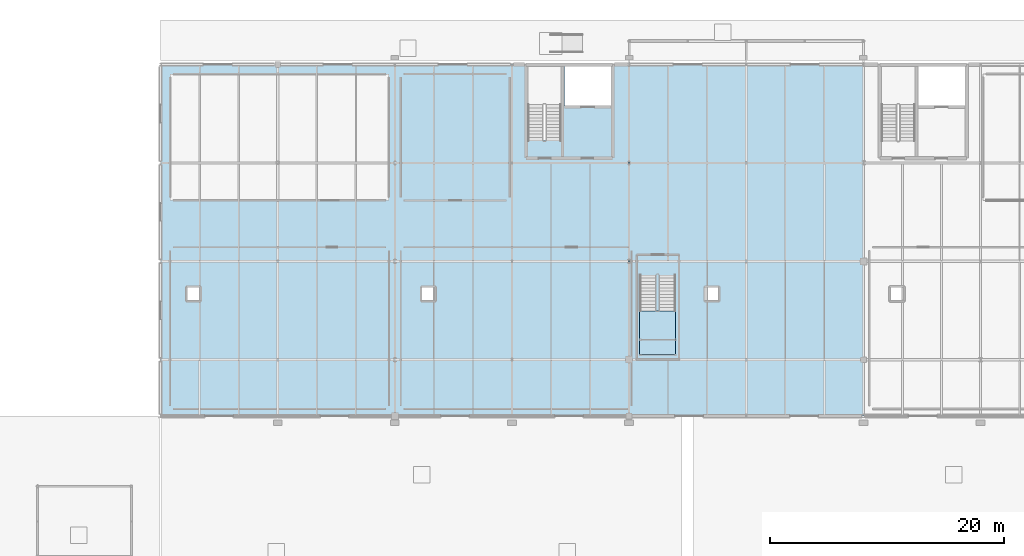
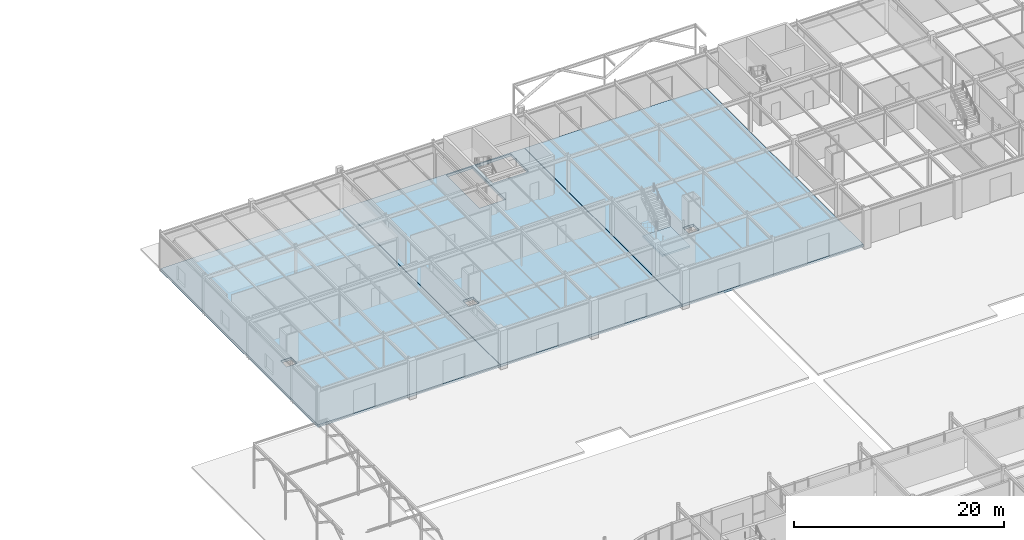
# One storey, part 78 of 119: 4 slabs, 1 element without a shape of its own.
"""IFC4 building model written with IfcOpenShell, lengths in metres."""

from ifc_helpers import new_model, si_unit, derived_unit, direction, frame, origin, place, context, subcontext, project, spatial, polyline, outline, extrude, material, layer, layer_set, type_object, element, aggregate, save


model = new_model("IFC4")

# Units and contexts
model_context = context("Model", 3, precision=1e-05, world=origin(), true_north=direction((0.0, 1.0)))
body_context = subcontext(model_context, "Body", "Model", "MODEL_VIEW")
ifc_project = project(units=[si_unit("LENGTHUNIT", "METRE"), si_unit("AREAUNIT", "SQUARE_METRE"), si_unit("VOLUMEUNIT", "CUBIC_METRE"), si_unit("PLANEANGLEUNIT", "RADIAN"), si_unit("MASSUNIT", "GRAM", prefix="KILO"), derived_unit("THERMALTRANSMITTANCEUNIT", [(si_unit("POWERUNIT", "WATT"), 1), (si_unit("LENGTHUNIT", "METRE"), -2), (si_unit("THERMODYNAMICTEMPERATUREUNIT", "KELVIN"), -1)])], contexts=[model_context])

# Site, building, storey
site_placement = place(None, origin())
site = spatial("IfcSite", under=ifc_project, at=site_placement, CompositionType="ELEMENT")
building_placement = place(site_placement, origin())
building = spatial("IfcBuilding", under=site, at=building_placement, Name="Cinnabar Yard Market Hall", CompositionType="ELEMENT")
storey_placement = place(building_placement, origin())
storey = spatial("IfcBuildingStorey", under=building, at=storey_placement, Name="L00", CompositionType="ELEMENT", Elevation=0.0)

# Slabs
ifc_material_1 = material(Name="Concrete 40 MPa", Category="concrete")
ifc_layer_1 = layer(ifc_material_1, 0.300048828125)
ifc_layer_set_1 = layer_set([ifc_layer_1], Name="Concrete 40 MPa")
slab_type_1 = type_object("IfcSlabType", Name="SL-L00", PredefinedType="FLOOR", material=ifc_layer_set_1)
slab_1_placement = place(storey_placement, frame((0.0, 0.0, -0.300048828125)))
element("IfcSlab", 1, at=slab_1_placement, inside=storey, type_object=slab_type_1, Name="L00 Wing Floor Slab Bay 1", PredefinedType="FLOOR", context=body_context, shape_type="SweptSolid", body=[
    extrude(outline(polyline([(66.0, 108.0), (86.0, 108.0), (86.0, 138.0), (66.0, 138.0), (66.0, 108.0)]), holes=[polyline([(68.25, 117.85009765625), (69.39990234375, 117.85009765625), (69.39990234375, 119.0), (68.25, 119.0), (68.25, 117.85009765625)])]), origin(), (0.0, 0.0, 1.0), 0.300048828125),
])
slab_2_placement = place(storey_placement, frame((0.0, 0.0, -0.300048828125)))
element("IfcSlab", 2, at=slab_2_placement, inside=storey, type_object=slab_type_1, Name="L00 Wing Floor Slab Bay 2", PredefinedType="FLOOR", context=body_context, shape_type="SweptSolid", body=[
    extrude(outline(polyline([(86.0400390625, 108.0), (106.0, 108.0), (106.0, 138.0), (86.0400390625, 138.0), (86.0400390625, 108.0)]), holes=[polyline([(88.2900390625, 117.85009765625), (89.43994140625, 117.85009765625), (89.43994140625, 119.0), (88.2900390625, 119.0), (88.2900390625, 117.85009765625)]), polyline([(100.199951171875, 131.5048828125), (100.199951171875, 137.860107421875), (97.340087890625, 137.860107421875), (97.340087890625, 131.5048828125), (100.199951171875, 131.5048828125)]), polyline([(100.5, 134.449951171875), (104.449951171875, 134.449951171875), (104.449951171875, 137.85009765625), (100.5, 137.85009765625), (100.5, 134.449951171875)])]), origin(), (0.0, 0.0, 1.0), 0.300048828125),
])
slab_3_placement = place(storey_placement, frame((0.0, 0.0, -0.300048828125)))
element("IfcSlab", 3, at=slab_3_placement, inside=storey, type_object=slab_type_1, Name="L00 Wing Floor Slab Bay 3", PredefinedType="FLOOR", context=body_context, shape_type="SweptSolid", body=[
    extrude(outline(polyline([(106.0400390625, 108.0), (126.0, 108.0), (126.0, 138.0), (106.0400390625, 138.0), (106.0400390625, 108.0)]), holes=[polyline([(112.489990234375, 117.85009765625), (113.639892578125, 117.85009765625), (113.639892578125, 119.0), (112.489990234375, 119.0), (112.489990234375, 117.85009765625)])]), origin(), (0.0, 0.0, 1.0), 0.300048828125),
])

# Stair, slab
ifc_material_2 = material(Name="Spotted gum timber treads on steel Grade 350 (350 MPa)", Category="steel")
stair_type = type_object("IfcStairType", Name="ST-FEAT", PredefinedType="HALF_TURN_STAIR", material=ifc_material_2)
stair_placement = place(storey_placement, origin())
stair = element("IfcStair", 4, at=stair_placement, inside=storey, type_object=stair_type, Name="L00 Feature Stair ST-F4", PredefinedType="HALF_TURN_STAIR")
ifc_layer_2 = layer(ifc_material_1, 0.199951171875)
ifc_layer_set_2 = layer_set([ifc_layer_2], Name="Concrete 40 MPa")
slab_type_2 = type_object("IfcSlabType", Name="SL-LAND", PredefinedType="LANDING", material=ifc_layer_set_2)
slab_4_placement = place(storey_placement, frame((0.0, 0.0, 2.050048828125)))
slab_4 = element("IfcSlab", 5, at=slab_4_placement, type_object=slab_type_2, Name="ST-F4 landing 1", PredefinedType="LANDING", context=body_context, shape_type="SweptSolid", body=[
    extrude(outline(polyline([(106.89990234375, 116.969970703125), (106.89990234375, 113.25), (109.9599609375, 113.25), (109.9599609375, 116.969970703125), (106.89990234375, 116.969970703125)])), origin(), (0.0, 0.0, 1.0), 0.199951171875),
])
aggregate(stair, [slab_4])

save(model, "model.ifc")
